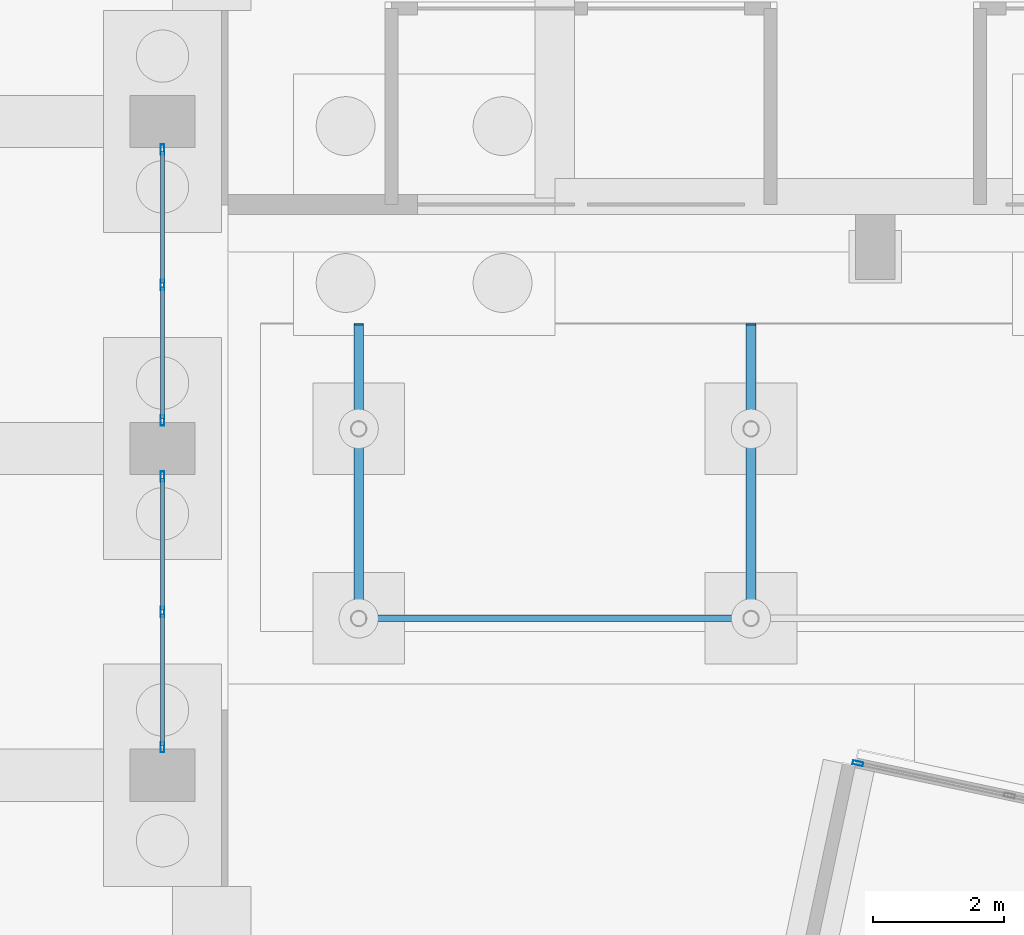
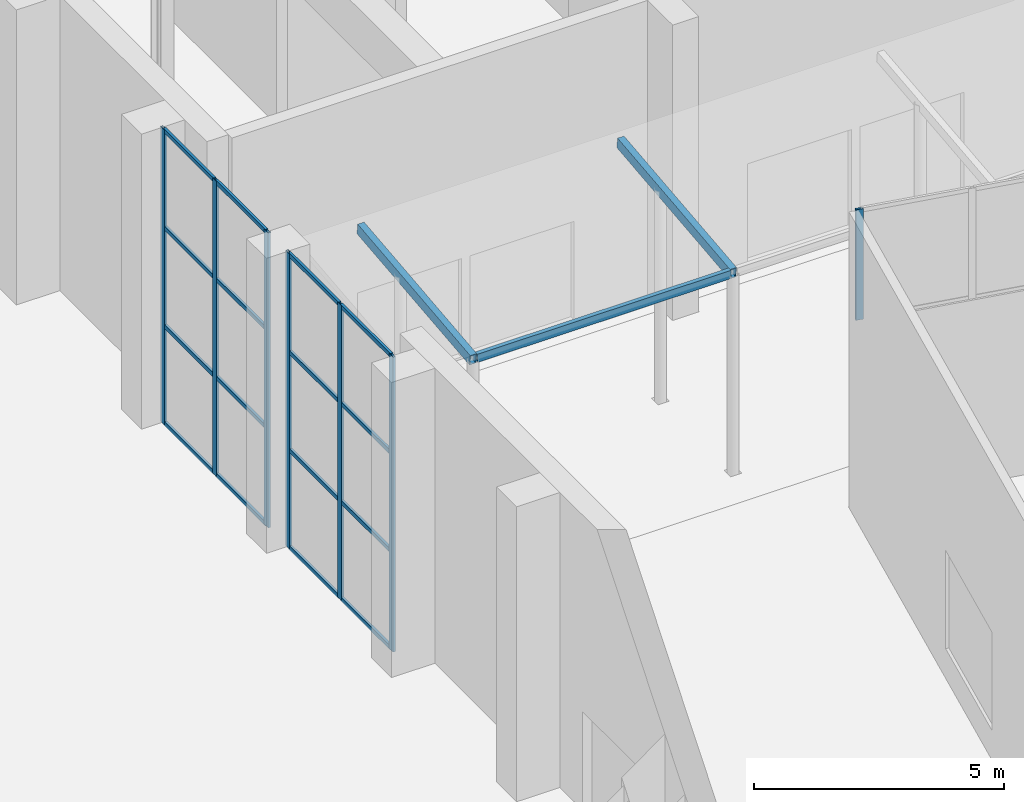
# One storey, part 129 of 239: 23 members, 3 beams, 3 elements without a shape of their own.
"""IFC4 building model written with IfcOpenShell, lengths in metres."""

from ifc_helpers import new_model, si_unit, direction, frame, origin, origin_2d, place, context, subcontext, project, spatial, hollow_rectangle, extrude, material, material_profile, profile_set, type_object, element, aggregate, save


model = new_model("IFC4")

# Units and contexts
model_context = context("Model", 3, precision=1e-05, world=origin(), true_north=direction((0.0, 1.0)))
body_context = subcontext(model_context, "Body", "Model", "MODEL_VIEW")
ifc_project = project(units=[si_unit("LENGTHUNIT", "METRE"), si_unit("AREAUNIT", "SQUARE_METRE"), si_unit("VOLUMEUNIT", "CUBIC_METRE"), si_unit("PLANEANGLEUNIT", "RADIAN"), si_unit("MASSUNIT", "GRAM", prefix="KILO")], contexts=[model_context])

# Site, building, storey
site_placement = place(None, origin())
site = spatial("IfcSite", under=ifc_project, at=site_placement, CompositionType="ELEMENT")
building_placement = place(site_placement, origin())
building = spatial("IfcBuilding", under=site, at=building_placement, Name="Okhra Congress Centre", CompositionType="ELEMENT")
storey_placement = place(building_placement, origin())
storey = spatial("IfcBuildingStorey", under=building, at=storey_placement, Name="L00", CompositionType="ELEMENT", Elevation=0.0)

# Curtain wall, members
ifc_material_1 = material(Name="Aluminium curtain wall, triple glazing", Category="aluminium")
curtain_wall_type_1 = type_object("IfcCurtainWallType", Name="Curtain wall 2100 module", PredefinedType="NOTDEFINED", material=ifc_material_1)
curtain_wall_1_placement = place(storey_placement, origin())
curtain_wall_1 = element("IfcCurtainWall", 1, at=curtain_wall_1_placement, inside=storey, type_object=curtain_wall_type_1, Name="East bay 5 glazing", PredefinedType="NOTDEFINED")
ifc_material_2 = material(Name="Aluminium alloy EN AW-6063 T66", Category="aluminium")
ifc_material_profile_1 = material_profile(ifc_material_2, hollow_rectangle(XDim=0.06005859375, YDim=0.159912109375, WallThickness=0.00390625, at=origin_2d()), Name="RHS 60x160x4")
ifc_profile_set_1 = profile_set([ifc_material_profile_1], Name="Aluminium alloy EN AW-6063 T66")
member_type_1 = type_object("IfcMemberType", Name="Curtain wall mullion 60x160", PredefinedType="MULLION", material=ifc_profile_set_1)
member_1_placement = place(storey_placement, frame((189.0, 141.429931640625, 0.0), z_axis=(0.0, 0.0, 1.0), x_axis=(-1.0, 0.0, 0.0)))
member_1 = element("IfcMember", 2, at=member_1_placement, type_object=member_type_1, Name="CW4 mullion 1", PredefinedType="MULLION", context=body_context, shape_type="SweptSolid", body=[
    extrude(hollow_rectangle(XDim=0.06005859375, YDim=0.159912109375, WallThickness=0.00390625, at=origin_2d()), origin(), (0.0, 0.0, 1.0), 7.199951171875),
])
member_2_placement = place(storey_placement, frame((189.0, 143.5, 0.0), z_axis=(0.0, 0.0, 1.0), x_axis=(-1.0, 0.0, 0.0)))
member_2 = element("IfcMember", 3, at=member_2_placement, type_object=member_type_1, Name="CW4 mullion 2", PredefinedType="MULLION", context=body_context, shape_type="SweptSolid", body=[
    extrude(hollow_rectangle(XDim=0.06005859375, YDim=0.159912109375, WallThickness=0.00390625, at=origin_2d()), origin(), (0.0, 0.0, 1.0), 7.199951171875),
])
member_3_placement = place(storey_placement, frame((189.0, 145.570068359375, 0.0), z_axis=(0.0, 0.0, 1.0), x_axis=(-1.0, 0.0, 0.0)))
member_3 = element("IfcMember", 4, at=member_3_placement, type_object=member_type_1, Name="CW4 mullion 3", PredefinedType="MULLION", context=body_context, shape_type="SweptSolid", body=[
    extrude(hollow_rectangle(XDim=0.06005859375, YDim=0.159912109375, WallThickness=0.00390625, at=origin_2d()), origin(), (0.0, 0.0, 1.0), 7.199951171875),
])

curtain_wall_2_placement = place(storey_placement, origin())
curtain_wall_2 = element("IfcCurtainWall", 5, at=curtain_wall_2_placement, inside=storey, type_object=curtain_wall_type_1, Name="East bay 6 glazing", PredefinedType="NOTDEFINED")
member_4_placement = place(storey_placement, frame((189.0, 146.429931640625, 0.0), z_axis=(0.0, 0.0, 1.0), x_axis=(-1.0, 0.0, 0.0)))
member_4 = element("IfcMember", 6, at=member_4_placement, type_object=member_type_1, Name="CW4 mullion 1", PredefinedType="MULLION", context=body_context, shape_type="SweptSolid", body=[
    extrude(hollow_rectangle(XDim=0.06005859375, YDim=0.159912109375, WallThickness=0.00390625, at=origin_2d()), origin(), (0.0, 0.0, 1.0), 7.199951171875),
])
member_5_placement = place(storey_placement, frame((189.0, 148.5, 0.0), z_axis=(0.0, 0.0, 1.0), x_axis=(-1.0, 0.0, 0.0)))
member_5 = element("IfcMember", 7, at=member_5_placement, type_object=member_type_1, Name="CW4 mullion 2", PredefinedType="MULLION", context=body_context, shape_type="SweptSolid", body=[
    extrude(hollow_rectangle(XDim=0.06005859375, YDim=0.159912109375, WallThickness=0.00390625, at=origin_2d()), origin(), (0.0, 0.0, 1.0), 7.199951171875),
])
member_6_placement = place(storey_placement, frame((189.0, 150.570068359375, 0.0), z_axis=(0.0, 0.0, 1.0), x_axis=(-1.0, 0.0, 0.0)))
member_6 = element("IfcMember", 8, at=member_6_placement, type_object=member_type_1, Name="CW4 mullion 3", PredefinedType="MULLION", context=body_context, shape_type="SweptSolid", body=[
    extrude(hollow_rectangle(XDim=0.06005859375, YDim=0.159912109375, WallThickness=0.00390625, at=origin_2d()), origin(), (0.0, 0.0, 1.0), 7.199951171875),
])

# Curtain wall, member
curtain_wall_type_2 = type_object("IfcCurtainWallType", Name="Curtain wall 2400 module", PredefinedType="NOTDEFINED", material=ifc_material_1)
curtain_wall_3_placement = place(storey_placement, origin())
curtain_wall_3 = element("IfcCurtainWall", 9, at=curtain_wall_3_placement, inside=storey, type_object=curtain_wall_type_2, Name="Foyer north glazing above the doors", PredefinedType="NOTDEFINED")
member_7_placement = place(storey_placement, frame((199.634765625, 141.18408203125, 4.5), z_axis=(0.0, 0.0, 1.0), x_axis=(0.207911690818, 0.978147600734, 0.0)))
member_7 = element("IfcMember", 10, at=member_7_placement, type_object=member_type_1, Name="CW6 mullion 1", PredefinedType="MULLION", context=body_context, shape_type="SweptSolid", body=[
    extrude(hollow_rectangle(XDim=0.06005859375, YDim=0.159912109375, WallThickness=0.00390625, at=origin_2d()), origin(), (0.0, 0.0, 1.0), 2.699951171875),
])
aggregate(curtain_wall_3, [member_7])

# Member
ifc_material_profile_2 = material_profile(ifc_material_2, hollow_rectangle(XDim=0.06005859375, YDim=0.10009765625, WallThickness=0.00390625, at=origin_2d()), Name="RHS 60x100x4")
ifc_profile_set_2 = profile_set([ifc_material_profile_2], Name="Aluminium alloy EN AW-6063 T66")
member_type_2 = type_object("IfcMemberType", Name="Curtain wall transom 60x100", PredefinedType="USERDEFINED", material=ifc_profile_set_2)
member_8_placement = place(storey_placement, frame((189.0, 141.4599609375, 0.030029296875), z_axis=(0.0, 1.0, 0.0), x_axis=(-1.0, 0.0, 0.0)))
member_8 = element("IfcMember", 11, at=member_8_placement, type_object=member_type_2, Name="CW4 transom 1.1", ObjectType="TRANSOM", PredefinedType="USERDEFINED", context=body_context, shape_type="SweptSolid", body=[
    extrude(hollow_rectangle(XDim=0.06005859375, YDim=0.10009765625, WallThickness=0.00390625, at=origin_2d()), origin(), (0.0, 0.0, 1.0), 2.010009765625),
])

member_9_placement = place(storey_placement, frame((189.0, 141.4599609375, 2.39990234375), z_axis=(0.0, 1.0, 0.0), x_axis=(-1.0, 0.0, 0.0)))
member_9 = element("IfcMember", 12, at=member_9_placement, type_object=member_type_2, Name="CW4 transom 1.2", ObjectType="TRANSOM", PredefinedType="USERDEFINED", context=body_context, shape_type="SweptSolid", body=[
    extrude(hollow_rectangle(XDim=0.06005859375, YDim=0.10009765625, WallThickness=0.00390625, at=origin_2d()), origin(), (0.0, 0.0, 1.0), 2.010009765625),
])

member_10_placement = place(storey_placement, frame((189.0, 141.4599609375, 4.800048828125), z_axis=(0.0, 1.0, 0.0), x_axis=(-1.0, 0.0, 0.0)))
member_10 = element("IfcMember", 13, at=member_10_placement, type_object=member_type_2, Name="CW4 transom 1.3", ObjectType="TRANSOM", PredefinedType="USERDEFINED", context=body_context, shape_type="SweptSolid", body=[
    extrude(hollow_rectangle(XDim=0.06005859375, YDim=0.10009765625, WallThickness=0.00390625, at=origin_2d()), origin(), (0.0, 0.0, 1.0), 2.010009765625),
])

member_11_placement = place(storey_placement, frame((189.0, 141.4599609375, 7.169921875), z_axis=(0.0, 1.0, 0.0), x_axis=(-1.0, 0.0, 0.0)))
member_11 = element("IfcMember", 14, at=member_11_placement, type_object=member_type_2, Name="CW4 transom 1.4", ObjectType="TRANSOM", PredefinedType="USERDEFINED", context=body_context, shape_type="SweptSolid", body=[
    extrude(hollow_rectangle(XDim=0.06005859375, YDim=0.10009765625, WallThickness=0.00390625, at=origin_2d()), origin(), (0.0, 0.0, 1.0), 2.010009765625),
])

member_12_placement = place(storey_placement, frame((189.0, 143.530029296875, 0.030029296875), z_axis=(0.0, 1.0, 0.0), x_axis=(-1.0, 0.0, 0.0)))
member_12 = element("IfcMember", 15, at=member_12_placement, type_object=member_type_2, Name="CW4 transom 2.1", ObjectType="TRANSOM", PredefinedType="USERDEFINED", context=body_context, shape_type="SweptSolid", body=[
    extrude(hollow_rectangle(XDim=0.06005859375, YDim=0.10009765625, WallThickness=0.00390625, at=origin_2d()), origin(), (0.0, 0.0, 1.0), 2.010009765625),
])

member_13_placement = place(storey_placement, frame((189.0, 143.530029296875, 2.39990234375), z_axis=(0.0, 1.0, 0.0), x_axis=(-1.0, 0.0, 0.0)))
member_13 = element("IfcMember", 16, at=member_13_placement, type_object=member_type_2, Name="CW4 transom 2.2", ObjectType="TRANSOM", PredefinedType="USERDEFINED", context=body_context, shape_type="SweptSolid", body=[
    extrude(hollow_rectangle(XDim=0.06005859375, YDim=0.10009765625, WallThickness=0.00390625, at=origin_2d()), origin(), (0.0, 0.0, 1.0), 2.010009765625),
])

member_14_placement = place(storey_placement, frame((189.0, 143.530029296875, 4.800048828125), z_axis=(0.0, 1.0, 0.0), x_axis=(-1.0, 0.0, 0.0)))
member_14 = element("IfcMember", 17, at=member_14_placement, type_object=member_type_2, Name="CW4 transom 2.3", ObjectType="TRANSOM", PredefinedType="USERDEFINED", context=body_context, shape_type="SweptSolid", body=[
    extrude(hollow_rectangle(XDim=0.06005859375, YDim=0.10009765625, WallThickness=0.00390625, at=origin_2d()), origin(), (0.0, 0.0, 1.0), 2.010009765625),
])

member_15_placement = place(storey_placement, frame((189.0, 143.530029296875, 7.169921875), z_axis=(0.0, 1.0, 0.0), x_axis=(-1.0, 0.0, 0.0)))
member_15 = element("IfcMember", 18, at=member_15_placement, type_object=member_type_2, Name="CW4 transom 2.4", ObjectType="TRANSOM", PredefinedType="USERDEFINED", context=body_context, shape_type="SweptSolid", body=[
    extrude(hollow_rectangle(XDim=0.06005859375, YDim=0.10009765625, WallThickness=0.00390625, at=origin_2d()), origin(), (0.0, 0.0, 1.0), 2.010009765625),
])

aggregate(curtain_wall_1, [member_1, member_2, member_3, member_8, member_9, member_10, member_11, member_12, member_13, member_14, member_15])

member_16_placement = place(storey_placement, frame((189.0, 146.4599609375, 0.030029296875), z_axis=(0.0, 1.0, 0.0), x_axis=(-1.0, 0.0, 0.0)))
member_16 = element("IfcMember", 19, at=member_16_placement, type_object=member_type_2, Name="CW4 transom 1.1", ObjectType="TRANSOM", PredefinedType="USERDEFINED", context=body_context, shape_type="SweptSolid", body=[
    extrude(hollow_rectangle(XDim=0.06005859375, YDim=0.10009765625, WallThickness=0.00390625, at=origin_2d()), origin(), (0.0, 0.0, 1.0), 2.010009765625),
])

member_17_placement = place(storey_placement, frame((189.0, 146.4599609375, 2.39990234375), z_axis=(0.0, 1.0, 0.0), x_axis=(-1.0, 0.0, 0.0)))
member_17 = element("IfcMember", 20, at=member_17_placement, type_object=member_type_2, Name="CW4 transom 1.2", ObjectType="TRANSOM", PredefinedType="USERDEFINED", context=body_context, shape_type="SweptSolid", body=[
    extrude(hollow_rectangle(XDim=0.06005859375, YDim=0.10009765625, WallThickness=0.00390625, at=origin_2d()), origin(), (0.0, 0.0, 1.0), 2.010009765625),
])

member_18_placement = place(storey_placement, frame((189.0, 146.4599609375, 4.800048828125), z_axis=(0.0, 1.0, 0.0), x_axis=(-1.0, 0.0, 0.0)))
member_18 = element("IfcMember", 21, at=member_18_placement, type_object=member_type_2, Name="CW4 transom 1.3", ObjectType="TRANSOM", PredefinedType="USERDEFINED", context=body_context, shape_type="SweptSolid", body=[
    extrude(hollow_rectangle(XDim=0.06005859375, YDim=0.10009765625, WallThickness=0.00390625, at=origin_2d()), origin(), (0.0, 0.0, 1.0), 2.010009765625),
])

member_19_placement = place(storey_placement, frame((189.0, 146.4599609375, 7.169921875), z_axis=(0.0, 1.0, 0.0), x_axis=(-1.0, 0.0, 0.0)))
member_19 = element("IfcMember", 22, at=member_19_placement, type_object=member_type_2, Name="CW4 transom 1.4", ObjectType="TRANSOM", PredefinedType="USERDEFINED", context=body_context, shape_type="SweptSolid", body=[
    extrude(hollow_rectangle(XDim=0.06005859375, YDim=0.10009765625, WallThickness=0.00390625, at=origin_2d()), origin(), (0.0, 0.0, 1.0), 2.010009765625),
])

member_20_placement = place(storey_placement, frame((189.0, 148.530029296875, 0.030029296875), z_axis=(0.0, 1.0, 0.0), x_axis=(-1.0, 0.0, 0.0)))
member_20 = element("IfcMember", 23, at=member_20_placement, type_object=member_type_2, Name="CW4 transom 2.1", ObjectType="TRANSOM", PredefinedType="USERDEFINED", context=body_context, shape_type="SweptSolid", body=[
    extrude(hollow_rectangle(XDim=0.06005859375, YDim=0.10009765625, WallThickness=0.00390625, at=origin_2d()), origin(), (0.0, 0.0, 1.0), 2.010009765625),
])

member_21_placement = place(storey_placement, frame((189.0, 148.530029296875, 2.39990234375), z_axis=(0.0, 1.0, 0.0), x_axis=(-1.0, 0.0, 0.0)))
member_21 = element("IfcMember", 24, at=member_21_placement, type_object=member_type_2, Name="CW4 transom 2.2", ObjectType="TRANSOM", PredefinedType="USERDEFINED", context=body_context, shape_type="SweptSolid", body=[
    extrude(hollow_rectangle(XDim=0.06005859375, YDim=0.10009765625, WallThickness=0.00390625, at=origin_2d()), origin(), (0.0, 0.0, 1.0), 2.010009765625),
])

member_22_placement = place(storey_placement, frame((189.0, 148.530029296875, 4.800048828125), z_axis=(0.0, 1.0, 0.0), x_axis=(-1.0, 0.0, 0.0)))
member_22 = element("IfcMember", 25, at=member_22_placement, type_object=member_type_2, Name="CW4 transom 2.3", ObjectType="TRANSOM", PredefinedType="USERDEFINED", context=body_context, shape_type="SweptSolid", body=[
    extrude(hollow_rectangle(XDim=0.06005859375, YDim=0.10009765625, WallThickness=0.00390625, at=origin_2d()), origin(), (0.0, 0.0, 1.0), 2.010009765625),
])

member_23_placement = place(storey_placement, frame((189.0, 148.530029296875, 7.169921875), z_axis=(0.0, 1.0, 0.0), x_axis=(-1.0, 0.0, 0.0)))
member_23 = element("IfcMember", 26, at=member_23_placement, type_object=member_type_2, Name="CW4 transom 2.4", ObjectType="TRANSOM", PredefinedType="USERDEFINED", context=body_context, shape_type="SweptSolid", body=[
    extrude(hollow_rectangle(XDim=0.06005859375, YDim=0.10009765625, WallThickness=0.00390625, at=origin_2d()), origin(), (0.0, 0.0, 1.0), 2.010009765625),
])

aggregate(curtain_wall_2, [member_4, member_5, member_6, member_16, member_17, member_18, member_19, member_20, member_21, member_22, member_23])

# Beams
ifc_material_3 = material(Name="Steel S355J2", Category="steel")
ifc_material_profile_3 = material_profile(ifc_material_3, hollow_rectangle(XDim=0.14990234375, YDim=0.25, WallThickness=0.008056640625, at=origin_2d()), Name="RHS 250x150x8")
ifc_profile_set_3 = profile_set([ifc_material_profile_3], Name="Steel S355J2")
beam_type_1 = type_object("IfcBeamType", Name="Steel canopy beam RHS 250x150x8", PredefinedType="BEAM", material=ifc_profile_set_3)
for number, where, z_axis, x_axis, name in (
    (27, (192.0, 143.39990234375, 4.84619140625), (0.0, 0.99438806793, 0.105793999632), (-1.0, 0.0, 0.0), "Drop-off canopy beam 1"),
    (28, (198.0, 143.39990234375, 4.84619140625), (0.0, 0.99438806793, 0.105793999632), (-1.0, 0.0, 0.0), "Drop-off canopy beam 2"),
):
    element("IfcBeam", number, at=place(storey_placement, frame(where, z_axis=z_axis, x_axis=x_axis)), inside=storey, type_object=beam_type_1, Name=name, PredefinedType="BEAM", context=body_context, shape_type="SweptSolid", body=[
        extrude(hollow_rectangle(XDim=0.14990234375, YDim=0.25, WallThickness=0.008056640625, at=origin_2d()), origin(), (0.0, 0.0, 1.0), 4.525390625),
    ])
ifc_material_profile_4 = material_profile(ifc_material_3, hollow_rectangle(XDim=0.10009765625, YDim=0.199951171875, WallThickness=0.006103515625, at=origin_2d()), Name="RHS 200x100x6")
ifc_profile_set_4 = profile_set([ifc_material_profile_4], Name="Steel S355J2")
beam_type_2 = type_object("IfcBeamType", Name="Steel canopy edge beam RHS 200x100x6", PredefinedType="BEAM", material=ifc_profile_set_4)
beam_placement = place(storey_placement, frame((192.074951171875, 143.39990234375, 4.871337890625), z_axis=(1.0, 0.0, 0.0), x_axis=(0.0, 1.0, 0.0)))
element("IfcBeam", 29, at=beam_placement, inside=storey, type_object=beam_type_2, Name="Drop-off canopy edge beam 1", PredefinedType="BEAM", context=body_context, shape_type="SweptSolid", body=[
    extrude(hollow_rectangle(XDim=0.10009765625, YDim=0.199951171875, WallThickness=0.006103515625, at=origin_2d()), origin(), (0.0, 0.0, 1.0), 5.85009765625),
])

save(model, "model.ifc")
